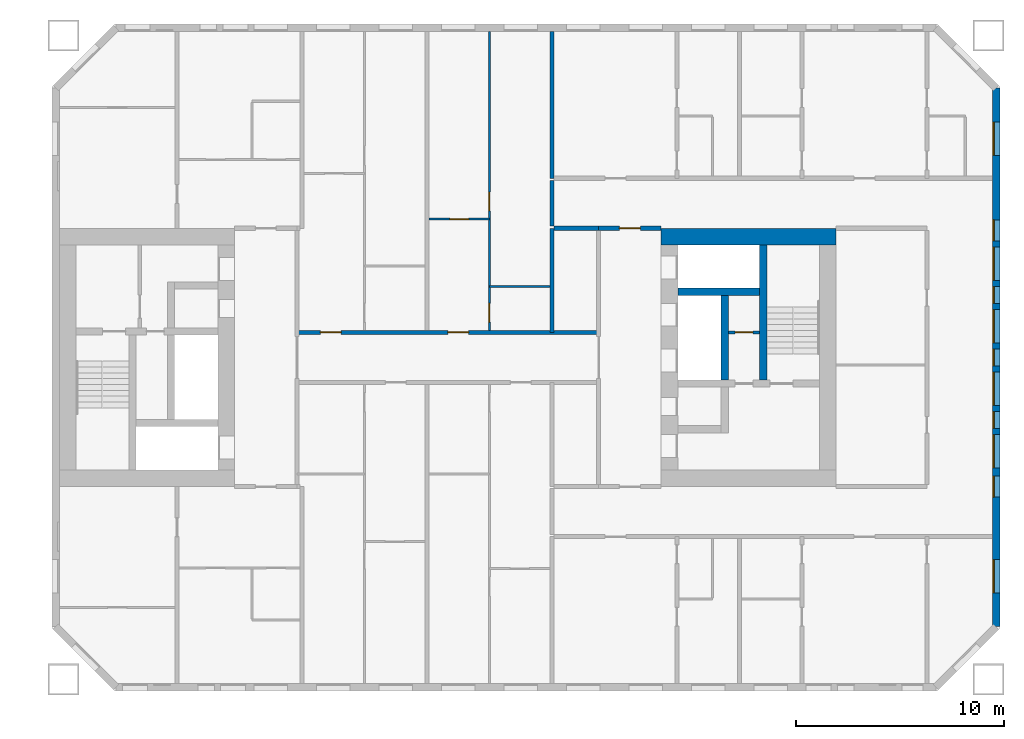
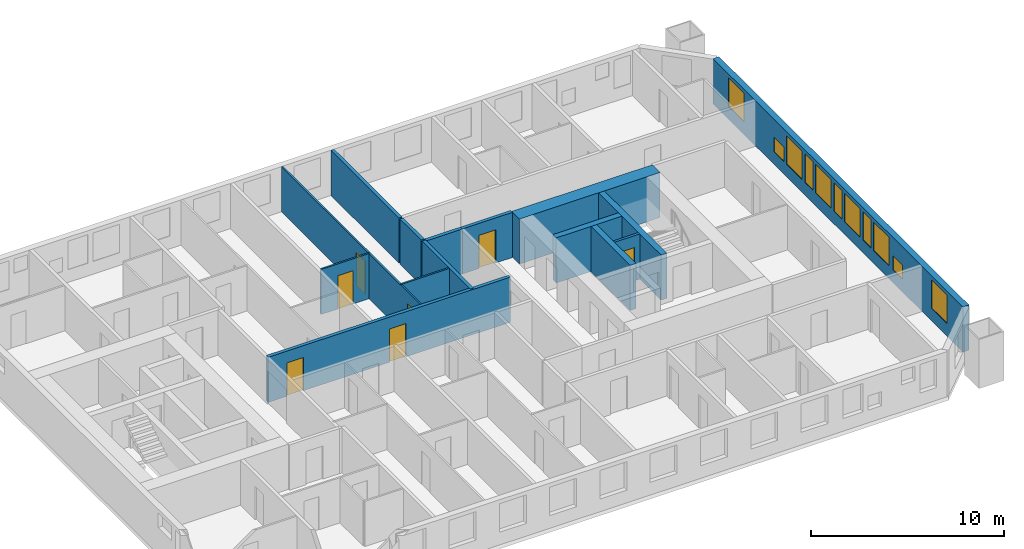
# One storey, part 13 of 17: 15 walls, 11 windows, 7 doors, 18 openings.
"""IFC4 building model written with IfcOpenShell, lengths in metres."""

from ifc_helpers import new_model, si_unit, direction, frame, frame_2d, origin, place, context, subcontext, project, spatial, rectangle, extrude, material, layer, layer_set, type_object, element, fill, save


model = new_model("IFC4")

# Units and contexts
model_context = context("Model", 3, precision=1e-05, world=origin(), true_north=direction((0.0, 1.0)))
body_context = subcontext(model_context, "Body", "Model", "MODEL_VIEW")
ifc_project = project(units=[si_unit("LENGTHUNIT", "METRE"), si_unit("AREAUNIT", "SQUARE_METRE"), si_unit("VOLUMEUNIT", "CUBIC_METRE"), si_unit("PLANEANGLEUNIT", "RADIAN"), si_unit("MASSUNIT", "GRAM", prefix="KILO")], contexts=[model_context])

# Site, building, storey
site_placement = place(None, origin())
site = spatial("IfcSite", under=ifc_project, at=site_placement, CompositionType="ELEMENT")
building_placement = place(site_placement, origin())
building = spatial("IfcBuilding", under=site, at=building_placement, Name="Tuart Gate Housing", CompositionType="ELEMENT")
storey_placement = place(building_placement, frame((0.0, 0.0, 47.39990234375)))
storey = spatial("IfcBuildingStorey", under=building, at=storey_placement, Name="L12", CompositionType="ELEMENT", Elevation=47.39990234375)

# Wall, openings, windows
ifc_material_1 = material(Name="Brick", Category="masonry")
ifc_layer_1 = layer(ifc_material_1, 0.360107421875)
ifc_layer_set_1 = layer_set([ifc_layer_1], Name="Brick pier and spandrel wall 360")
wall_type_1 = type_object("IfcWallType", Name="Brick pier and spandrel wall 360", PredefinedType="STANDARD", material=ifc_layer_set_1)
wall_1_placement = place(storey_placement, frame((176.320068359375, 57.07470703125, 0.0), z_axis=(0.0, 0.0, 1.0), x_axis=(0.0, 1.0, 0.0)))
wall_1 = element("IfcWall", 1, at=wall_1_placement, inside=storey, type_object=wall_type_1, Name="External wall B-E L12", PredefinedType="STANDARD", context=body_context, shape_type="SweptSolid", body=[
    extrude(rectangle(XDim=25.850830078125, YDim=0.360107421875, at=frame_2d((12.92529296875, 0.0))), origin(), (0.0, 0.0, 1.0), 2.85009765625),
])
opening_1_placement = place(wall_1_placement, frame((1.62548828125, 0.0, 0.800048828125)))
opening_1 = element("IfcOpeningElement", 2, at=opening_1_placement, cuts=wall_1, Name="Opening W1", PredefinedType="OPENING", context=body_context, shape_type="SweptSolid", body=[
    extrude(rectangle(XDim=1.60009765625, YDim=1.800048828125, at=frame_2d((0.800048828125, 0.89990234375))), frame((0.0, 0.18994140625, 0.0), z_axis=(0.0, -1.0, 0.0), x_axis=(1.0, 0.0, 0.0)), (0.0, 0.0, 1.0), 0.380126953125),
])
opening_2_placement = place(wall_1_placement, frame((6.225341796875, 0.0, 0.800048828125)))
opening_2 = element("IfcOpeningElement", 3, at=opening_2_placement, cuts=wall_1, Name="Opening W1U", PredefinedType="OPENING", context=body_context, shape_type="SweptSolid", body=[
    extrude(rectangle(XDim=1.0, YDim=0.89990234375, at=frame_2d((0.5, 0.449951171875))), frame((0.0, 0.18994140625, 0.0), z_axis=(0.0, -1.0, 0.0), x_axis=(1.0, 0.0, 0.0)), (0.0, 0.0, 1.0), 0.380126953125),
])
opening_3_placement = place(wall_1_placement, frame((7.62548828125, 0.0, 0.800048828125)))
opening_3 = element("IfcOpeningElement", 4, at=opening_3_placement, cuts=wall_1, Name="Opening W1", PredefinedType="OPENING", context=body_context, shape_type="SweptSolid", body=[
    extrude(rectangle(XDim=1.60009765625, YDim=1.800048828125, at=frame_2d((0.800048828125, 0.89990234375))), frame((0.0, 0.18994140625, 0.0), z_axis=(0.0, -1.0, 0.0), x_axis=(1.0, 0.0, 0.0)), (0.0, 0.0, 1.0), 0.380126953125),
])
opening_4_placement = place(wall_1_placement, frame((10.62548828125, 0.0, 0.800048828125)))
opening_4 = element("IfcOpeningElement", 5, at=opening_4_placement, cuts=wall_1, Name="Opening W1", PredefinedType="OPENING", context=body_context, shape_type="SweptSolid", body=[
    extrude(rectangle(XDim=1.60009765625, YDim=1.800048828125, at=frame_2d((0.800048828125, 0.89990234375))), frame((0.0, 0.18994140625, 0.0), z_axis=(0.0, -1.0, 0.0), x_axis=(1.0, 0.0, 0.0)), (0.0, 0.0, 1.0), 0.380126953125),
])
opening_5_placement = place(wall_1_placement, frame((13.62548828125, 0.0, 0.800048828125)))
opening_5 = element("IfcOpeningElement", 6, at=opening_5_placement, cuts=wall_1, Name="Opening W1", PredefinedType="OPENING", context=body_context, shape_type="SweptSolid", body=[
    extrude(rectangle(XDim=1.60009765625, YDim=1.800048828125, at=frame_2d((0.800048828125, 0.89990234375))), frame((0.0, 0.18994140625, 0.0), z_axis=(0.0, -1.0, 0.0), x_axis=(1.0, 0.0, 0.0)), (0.0, 0.0, 1.0), 0.380126953125),
])
opening_6_placement = place(wall_1_placement, frame((16.62548828125, 0.0, 0.800048828125)))
opening_6 = element("IfcOpeningElement", 7, at=opening_6_placement, cuts=wall_1, Name="Opening W1", PredefinedType="OPENING", context=body_context, shape_type="SweptSolid", body=[
    extrude(rectangle(XDim=1.60009765625, YDim=1.800048828125, at=frame_2d((0.800048828125, 0.89990234375))), frame((0.0, 0.18994140625, 0.0), z_axis=(0.0, -1.0, 0.0), x_axis=(1.0, 0.0, 0.0)), (0.0, 0.0, 1.0), 0.380126953125),
])
opening_7_placement = place(wall_1_placement, frame((9.525390625, 0.0, 0.800048828125)))
opening_7 = element("IfcOpeningElement", 8, at=opening_7_placement, cuts=wall_1, Name="Opening W1D", PredefinedType="OPENING", context=body_context, shape_type="SweptSolid", body=[
    extrude(rectangle(XDim=0.800048828125, YDim=1.800048828125, at=frame_2d((0.39990234375, 0.89990234375))), frame((0.0, 0.18994140625, 0.0), z_axis=(0.0, -1.0, 0.0), x_axis=(1.0, 0.0, 0.0)), (0.0, 0.0, 1.0), 0.380126953125),
])
opening_8_placement = place(wall_1_placement, frame((22.62548828125, 0.0, 0.800048828125)))
opening_8 = element("IfcOpeningElement", 9, at=opening_8_placement, cuts=wall_1, Name="Opening W1", PredefinedType="OPENING", context=body_context, shape_type="SweptSolid", body=[
    extrude(rectangle(XDim=1.60009765625, YDim=1.800048828125, at=frame_2d((0.800048828125, 0.89990234375))), frame((0.0, 0.18994140625, 0.0), z_axis=(0.0, -1.0, 0.0), x_axis=(1.0, 0.0, 0.0)), (0.0, 0.0, 1.0), 0.380126953125),
])
opening_9_placement = place(wall_1_placement, frame((12.525390625, 0.0, 0.800048828125)))
opening_9 = element("IfcOpeningElement", 10, at=opening_9_placement, cuts=wall_1, Name="Opening W1D", PredefinedType="OPENING", context=body_context, shape_type="SweptSolid", body=[
    extrude(rectangle(XDim=0.800048828125, YDim=1.800048828125, at=frame_2d((0.39990234375, 0.89990234375))), frame((0.0, 0.18994140625, 0.0), z_axis=(0.0, -1.0, 0.0), x_axis=(1.0, 0.0, 0.0)), (0.0, 0.0, 1.0), 0.380126953125),
])
opening_10_placement = place(wall_1_placement, frame((15.525390625, 0.0, 0.800048828125)))
opening_10 = element("IfcOpeningElement", 11, at=opening_10_placement, cuts=wall_1, Name="Opening W1D", PredefinedType="OPENING", context=body_context, shape_type="SweptSolid", body=[
    extrude(rectangle(XDim=0.800048828125, YDim=1.800048828125, at=frame_2d((0.39990234375, 0.89990234375))), frame((0.0, 0.18994140625, 0.0), z_axis=(0.0, -1.0, 0.0), x_axis=(1.0, 0.0, 0.0)), (0.0, 0.0, 1.0), 0.380126953125),
])
opening_11_placement = place(wall_1_placement, frame((18.525390625, 0.0, 0.800048828125)))
opening_11 = element("IfcOpeningElement", 12, at=opening_11_placement, cuts=wall_1, Name="Opening W1U", PredefinedType="OPENING", context=body_context, shape_type="SweptSolid", body=[
    extrude(rectangle(XDim=1.0, YDim=0.89990234375, at=frame_2d((0.5, 0.449951171875))), frame((0.0, 0.18994140625, 0.0), z_axis=(0.0, -1.0, 0.0), x_axis=(1.0, 0.0, 0.0)), (0.0, 0.0, 1.0), 0.380126953125),
])
ifc_material_2 = material(Name="Aluminium frame with clear glass", Category="aluminium")
window_type_1 = type_object("IfcWindowType", Name="Punched window 1000 x 900", PartitioningType="SINGLE_PANEL", PredefinedType="WINDOW", material=ifc_material_2)
window_1_placement = place(opening_2_placement, origin())
window_1 = element("IfcWindow", 13, at=window_1_placement, inside=storey, type_object=window_type_1, Name="Window W1U", OverallHeight=0.89990234375, OverallWidth=1.0, PartitioningType="SINGLE_PANEL", PredefinedType="WINDOW", context=body_context, shape_type="SweptSolid", body=[
    extrude(rectangle(XDim=1.0, YDim=0.89990234375, at=frame_2d((0.5, 0.449951171875))), frame((0.0, 0.150146484375, 0.0), z_axis=(0.0, -1.0, 0.0), x_axis=(1.0, 0.0, 0.0)), (0.0, 0.0, 1.0), 0.06005859375),
])
fill(opening_2, window_1)
window_2_placement = place(opening_11_placement, origin())
window_2 = element("IfcWindow", 14, at=window_2_placement, inside=storey, type_object=window_type_1, Name="Window W1U", OverallHeight=0.89990234375, OverallWidth=1.0, PartitioningType="SINGLE_PANEL", PredefinedType="WINDOW", context=body_context, shape_type="SweptSolid", body=[
    extrude(rectangle(XDim=1.0, YDim=0.89990234375, at=frame_2d((0.5, 0.449951171875))), frame((0.0, 0.150146484375, 0.0), z_axis=(0.0, -1.0, 0.0), x_axis=(1.0, 0.0, 0.0)), (0.0, 0.0, 1.0), 0.06005859375),
])
fill(opening_11, window_2)
ifc_material_3 = material(Name="Aluminium frame with clear glass", Category="aluminium")
window_type_2 = type_object("IfcWindowType", Name="Punched window 1600 x 1800", PartitioningType="SINGLE_PANEL", PredefinedType="WINDOW", material=ifc_material_3)
window_3_placement = place(opening_1_placement, origin())
window_3 = element("IfcWindow", 15, at=window_3_placement, inside=storey, type_object=window_type_2, Name="Window W1", OverallHeight=1.800048828125, OverallWidth=1.60009765625, PartitioningType="SINGLE_PANEL", PredefinedType="WINDOW", context=body_context, shape_type="SweptSolid", body=[
    extrude(rectangle(XDim=1.60009765625, YDim=1.800048828125, at=frame_2d((0.800048828125, 0.89990234375))), frame((0.0, 0.150146484375, 0.0), z_axis=(0.0, -1.0, 0.0), x_axis=(1.0, 0.0, 0.0)), (0.0, 0.0, 1.0), 0.06005859375),
])
fill(opening_1, window_3)
window_4_placement = place(opening_3_placement, origin())
window_4 = element("IfcWindow", 16, at=window_4_placement, inside=storey, type_object=window_type_2, Name="Window W1", OverallHeight=1.800048828125, OverallWidth=1.60009765625, PartitioningType="SINGLE_PANEL", PredefinedType="WINDOW", context=body_context, shape_type="SweptSolid", body=[
    extrude(rectangle(XDim=1.60009765625, YDim=1.800048828125, at=frame_2d((0.800048828125, 0.89990234375))), frame((0.0, 0.150146484375, 0.0), z_axis=(0.0, -1.0, 0.0), x_axis=(1.0, 0.0, 0.0)), (0.0, 0.0, 1.0), 0.06005859375),
])
fill(opening_3, window_4)
window_5_placement = place(opening_4_placement, origin())
window_5 = element("IfcWindow", 17, at=window_5_placement, inside=storey, type_object=window_type_2, Name="Window W1", OverallHeight=1.800048828125, OverallWidth=1.60009765625, PartitioningType="SINGLE_PANEL", PredefinedType="WINDOW", context=body_context, shape_type="SweptSolid", body=[
    extrude(rectangle(XDim=1.60009765625, YDim=1.800048828125, at=frame_2d((0.800048828125, 0.89990234375))), frame((0.0, 0.150146484375, 0.0), z_axis=(0.0, -1.0, 0.0), x_axis=(1.0, 0.0, 0.0)), (0.0, 0.0, 1.0), 0.06005859375),
])
fill(opening_4, window_5)
window_6_placement = place(opening_5_placement, origin())
window_6 = element("IfcWindow", 18, at=window_6_placement, inside=storey, type_object=window_type_2, Name="Window W1", OverallHeight=1.800048828125, OverallWidth=1.60009765625, PartitioningType="SINGLE_PANEL", PredefinedType="WINDOW", context=body_context, shape_type="SweptSolid", body=[
    extrude(rectangle(XDim=1.60009765625, YDim=1.800048828125, at=frame_2d((0.800048828125, 0.89990234375))), frame((0.0, 0.150146484375, 0.0), z_axis=(0.0, -1.0, 0.0), x_axis=(1.0, 0.0, 0.0)), (0.0, 0.0, 1.0), 0.06005859375),
])
fill(opening_5, window_6)
window_7_placement = place(opening_6_placement, origin())
window_7 = element("IfcWindow", 19, at=window_7_placement, inside=storey, type_object=window_type_2, Name="Window W1", OverallHeight=1.800048828125, OverallWidth=1.60009765625, PartitioningType="SINGLE_PANEL", PredefinedType="WINDOW", context=body_context, shape_type="SweptSolid", body=[
    extrude(rectangle(XDim=1.60009765625, YDim=1.800048828125, at=frame_2d((0.800048828125, 0.89990234375))), frame((0.0, 0.150146484375, 0.0), z_axis=(0.0, -1.0, 0.0), x_axis=(1.0, 0.0, 0.0)), (0.0, 0.0, 1.0), 0.06005859375),
])
fill(opening_6, window_7)
window_8_placement = place(opening_8_placement, origin())
window_8 = element("IfcWindow", 20, at=window_8_placement, inside=storey, type_object=window_type_2, Name="Window W1", OverallHeight=1.800048828125, OverallWidth=1.60009765625, PartitioningType="SINGLE_PANEL", PredefinedType="WINDOW", context=body_context, shape_type="SweptSolid", body=[
    extrude(rectangle(XDim=1.60009765625, YDim=1.800048828125, at=frame_2d((0.800048828125, 0.89990234375))), frame((0.0, 0.150146484375, 0.0), z_axis=(0.0, -1.0, 0.0), x_axis=(1.0, 0.0, 0.0)), (0.0, 0.0, 1.0), 0.06005859375),
])
fill(opening_8, window_8)
ifc_material_4 = material(Name="Aluminium frame with clear glass", Category="aluminium")
window_type_3 = type_object("IfcWindowType", Name="Punched window 800 x 1800", PartitioningType="SINGLE_PANEL", PredefinedType="WINDOW", material=ifc_material_4)
window_9_placement = place(opening_7_placement, origin())
window_9 = element("IfcWindow", 21, at=window_9_placement, inside=storey, type_object=window_type_3, Name="Window W1D", OverallHeight=1.800048828125, OverallWidth=0.800048828125, PartitioningType="SINGLE_PANEL", PredefinedType="WINDOW", context=body_context, shape_type="SweptSolid", body=[
    extrude(rectangle(XDim=0.800048828125, YDim=1.800048828125, at=frame_2d((0.39990234375, 0.89990234375))), frame((0.0, 0.150146484375, 0.0), z_axis=(0.0, -1.0, 0.0), x_axis=(1.0, 0.0, 0.0)), (0.0, 0.0, 1.0), 0.06005859375),
])
fill(opening_7, window_9)
window_10_placement = place(opening_9_placement, origin())
window_10 = element("IfcWindow", 22, at=window_10_placement, inside=storey, type_object=window_type_3, Name="Window W1D", OverallHeight=1.800048828125, OverallWidth=0.800048828125, PartitioningType="SINGLE_PANEL", PredefinedType="WINDOW", context=body_context, shape_type="SweptSolid", body=[
    extrude(rectangle(XDim=0.800048828125, YDim=1.800048828125, at=frame_2d((0.39990234375, 0.89990234375))), frame((0.0, 0.150146484375, 0.0), z_axis=(0.0, -1.0, 0.0), x_axis=(1.0, 0.0, 0.0)), (0.0, 0.0, 1.0), 0.06005859375),
])
fill(opening_9, window_10)
window_11_placement = place(opening_10_placement, origin())
window_11 = element("IfcWindow", 23, at=window_11_placement, inside=storey, type_object=window_type_3, Name="Window W1D", OverallHeight=1.800048828125, OverallWidth=0.800048828125, PartitioningType="SINGLE_PANEL", PredefinedType="WINDOW", context=body_context, shape_type="SweptSolid", body=[
    extrude(rectangle(XDim=0.800048828125, YDim=1.800048828125, at=frame_2d((0.39990234375, 0.89990234375))), frame((0.0, 0.150146484375, 0.0), z_axis=(0.0, -1.0, 0.0), x_axis=(1.0, 0.0, 0.0)), (0.0, 0.0, 1.0), 0.06005859375),
])
fill(opening_10, window_11)

# Wall, opening, door
ifc_material_5 = material(Name="Plasterboard partition")
ifc_layer_2 = layer(ifc_material_5, 0.14990234375)
ifc_layer_set_2 = layer_set([ifc_layer_2], Name="Core partition 150")
wall_type_2 = type_object("IfcWallType", Name="Core partition 150", PredefinedType="PARTITIONING", material=ifc_layer_set_2)
wall_2_placement = place(storey_placement, frame((163.465087890625, 71.199951171875, 0.0), z_axis=(0.0, 0.0, 1.0), x_axis=(1.0, 0.0, 0.0)))
wall_2 = element("IfcWall", 24, at=wall_2_placement, inside=storey, type_object=wall_type_2, Name="Core partition BK.2", PredefinedType="PARTITIONING", context=body_context, shape_type="SweptSolid", body=[
    extrude(rectangle(XDim=1.5, YDim=0.14990234375, at=frame_2d((0.75, 0.0))), origin(), (0.0, 0.0, 1.0), 2.85009765625),
])
opening_12_placement = place(wall_2_placement, frame((0.324951171875, 0.0, 0.0)))
opening_12 = element("IfcOpeningElement", 25, at=opening_12_placement, cuts=wall_2, Name="Opening D681", PredefinedType="OPENING", context=body_context, shape_type="SweptSolid", body=[
    extrude(rectangle(XDim=0.85009765625, YDim=2.10009765625, at=frame_2d((0.425048828125, 1.050048828125))), frame((0.0, 0.0849609375, 0.0), z_axis=(0.0, -1.0, 0.0), x_axis=(1.0, 0.0, 0.0)), (0.0, 0.0, 1.0), 0.169921875),
])
ifc_material_6 = material(Name="Steel fire door", Category="steel")
door_type_1 = type_object("IfcDoorType", Name="Service door 850 x 2100 RH", OperationType="SINGLE_SWING_RIGHT", PredefinedType="DOOR", material=ifc_material_6)
door_1_placement = place(opening_12_placement, frame((0.85009765625, 0.0, 0.0), z_axis=(0.0, 0.0, 1.0), x_axis=(-1.0, 0.0, 0.0)))
door_1 = element("IfcDoor", 26, at=door_1_placement, inside=storey, type_object=door_type_1, Name="Service room door BK.W2", OperationType="SINGLE_SWING_RIGHT", OverallHeight=2.10009765625, OverallWidth=0.85009765625, PredefinedType="DOOR", context=body_context, shape_type="SweptSolid", body=[
    extrude(rectangle(XDim=0.85009765625, YDim=2.10009765625, at=frame_2d((0.425048828125, 1.050048828125))), frame((0.0, 0.025146484375, 0.0), z_axis=(0.0, -1.0, 0.0), x_axis=(1.0, 0.0, 0.0)), (0.0, 0.0, 1.0), 0.050048828125),
])
fill(opening_12, door_1)

# Walls
ifc_material_7 = material(Name="Concrete C60", Category="concrete")
ifc_layer_3 = layer(ifc_material_7, 0.35009765625)
ifc_layer_set_3 = layer_set([ifc_layer_3], Name="Core wall 350 C60")
wall_type_3 = type_object("IfcWallType", Name="Core wall 350 C60", PredefinedType="SHEAR", material=ifc_layer_set_3)
wall_3_placement = place(storey_placement, frame((161.0400390625, 73.14990234375, 0.0), z_axis=(0.0, 0.0, 1.0), x_axis=(1.0, 0.0, 0.0)))
element("IfcWall", 27, at=wall_3_placement, inside=storey, type_object=wall_type_3, Name="Core wall BK.1", PredefinedType="SHEAR", context=body_context, shape_type="SweptSolid", body=[
    extrude(rectangle(XDim=3.925048828125, YDim=0.35009765625, at=frame_2d((1.96240234375, 0.0))), origin(), (0.0, 0.0, 1.0), 2.85009765625),
])
wall_4_placement = place(storey_placement, frame((163.2900390625, 72.97509765625, 0.0), z_axis=(0.0, 0.0, 1.0), x_axis=(0.0, -1.0, 0.0)))
element("IfcWall", 28, at=wall_4_placement, inside=storey, type_object=wall_type_3, Name="Core wall BK.5", PredefinedType="SHEAR", context=body_context, shape_type="SweptSolid", body=[
    extrude(rectangle(XDim=4.050048828125, YDim=0.35009765625, at=frame_2d((2.02490234375, 0.0))), origin(), (0.0, 0.0, 1.0), 2.85009765625),
])
wall_5_placement = place(storey_placement, frame((165.139892578125, 75.39990234375, 0.0), z_axis=(0.0, 0.0, 1.0), x_axis=(0.0, -1.0, 0.0)))
element("IfcWall", 29, at=wall_5_placement, inside=storey, type_object=wall_type_3, Name="Core wall BK.7", PredefinedType="SHEAR", context=body_context, shape_type="SweptSolid", body=[
    extrude(rectangle(XDim=6.474853515625, YDim=0.35009765625, at=frame_2d((3.2373046875, 0.0))), origin(), (0.0, 0.0, 1.0), 2.85009765625),
])
ifc_material_8 = material(Name="Concrete C60", Category="concrete")
ifc_layer_4 = layer(ifc_material_8, 0.800048828125)
ifc_layer_set_4 = layer_set([ifc_layer_4], Name="Core wall 800 C60")
wall_type_4 = type_object("IfcWallType", Name="Core wall 800 C60", PredefinedType="SHEAR", material=ifc_layer_set_4)
wall_6_placement = place(storey_placement, frame((160.239990234375, 75.800048828125, 0.0), z_axis=(0.0, 0.0, 1.0), x_axis=(1.0, 0.0, 0.0)))
element("IfcWall", 30, at=wall_6_placement, inside=storey, type_object=wall_type_4, Name="Core wall BK south", PredefinedType="SHEAR", context=body_context, shape_type="SweptSolid", body=[
    extrude(rectangle(XDim=8.39990234375, YDim=0.800048828125, at=frame_2d((4.199951171875, 0.0))), origin(), (0.0, 0.0, 1.0), 2.85009765625),
])

# Wall, openings, doors
ifc_material_9 = material(Name="Concrete masonry 15 MPa", Category="masonry")
ifc_layer_5 = layer(ifc_material_9, 0.199951171875)
ifc_layer_set_5 = layer_set([ifc_layer_5], Name="Corridor wall masonry 200")
wall_type_5 = type_object("IfcWallType", Name="Corridor wall masonry 200", PredefinedType="PARTITIONING", material=ifc_layer_set_5)
wall_7_placement = place(storey_placement, frame((142.760009765625, 71.199951171875, 0.0), z_axis=(0.0, 0.0, 1.0), x_axis=(1.0, 0.0, 0.0)))
wall_7 = element("IfcWall", 31, at=wall_7_placement, inside=storey, type_object=wall_type_5, Name="Corridor wall masonry 200", PredefinedType="PARTITIONING", context=body_context, shape_type="SweptSolid", body=[
    extrude(rectangle(XDim=14.47998046875, YDim=0.199951171875, at=frame_2d((7.239990234375, 0.0))), origin(), (0.0, 0.0, 1.0), 2.85009765625),
])
opening_13_placement = place(wall_7_placement, frame((1.1201171875, 0.0, 0.0)))
opening_13 = element("IfcOpeningElement", 32, at=opening_13_placement, cuts=wall_7, Name="Opening D679", PredefinedType="OPENING", context=body_context, shape_type="SweptSolid", body=[
    extrude(rectangle(XDim=1.0, YDim=2.10009765625, at=frame_2d((0.5, 1.050048828125))), frame((0.0, 0.10986328125, 0.0), z_axis=(0.0, -1.0, 0.0), x_axis=(1.0, 0.0, 0.0)), (0.0, 0.0, 1.0), 0.219970703125),
])
opening_14_placement = place(wall_7_placement, frame((7.239990234375, 0.0, 0.0)))
opening_14 = element("IfcOpeningElement", 33, at=opening_14_placement, cuts=wall_7, Name="Opening D680", PredefinedType="OPENING", context=body_context, shape_type="SweptSolid", body=[
    extrude(rectangle(XDim=1.0, YDim=2.10009765625, at=frame_2d((0.5, 1.050048828125))), frame((0.0, 0.10986328125, 0.0), z_axis=(0.0, -1.0, 0.0), x_axis=(1.0, 0.0, 0.0)), (0.0, 0.0, 1.0), 0.219970703125),
])
ifc_material_10 = material(Name="Timber door leaf in steel frame", Category="steel")
door_type_2 = type_object("IfcDoorType", Name="Flat entrance door 1000", OperationType="SINGLE_SWING_LEFT", PredefinedType="DOOR", material=ifc_material_10)
door_2_placement = place(opening_13_placement, origin())
door_2 = element("IfcDoor", 34, at=door_2_placement, inside=storey, type_object=door_type_2, Name="Flat entrance door", OperationType="SINGLE_SWING_LEFT", OverallHeight=2.10009765625, OverallWidth=1.0, PredefinedType="DOOR", context=body_context, shape_type="SweptSolid", body=[
    extrude(rectangle(XDim=1.0, YDim=2.10009765625, at=frame_2d((0.5, 1.050048828125))), frame((0.0, 0.02490234375, 0.0), z_axis=(0.0, -1.0, 0.0), x_axis=(1.0, 0.0, 0.0)), (0.0, 0.0, 1.0), 0.050048828125),
])
fill(opening_13, door_2)
door_3_placement = place(opening_14_placement, origin())
door_3 = element("IfcDoor", 35, at=door_3_placement, inside=storey, type_object=door_type_2, Name="Flat entrance door", OperationType="SINGLE_SWING_LEFT", OverallHeight=2.10009765625, OverallWidth=1.0, PredefinedType="DOOR", context=body_context, shape_type="SweptSolid", body=[
    extrude(rectangle(XDim=1.0, YDim=2.10009765625, at=frame_2d((0.5, 1.050048828125))), frame((0.0, 0.02490234375, 0.0), z_axis=(0.0, -1.0, 0.0), x_axis=(1.0, 0.0, 0.0)), (0.0, 0.0, 1.0), 0.050048828125),
])
fill(opening_14, door_3)

# Walls
wall_8_placement = place(storey_placement, frame((155.10009765625, 76.199951171875, 0.0), z_axis=(0.0, 0.0, 1.0), x_axis=(1.0, 0.0, 0.0)))
element("IfcWall", 36, at=wall_8_placement, inside=storey, type_object=wall_type_5, Name="Corridor wall masonry 200", PredefinedType="PARTITIONING", context=body_context, shape_type="SweptSolid", body=[
    extrude(rectangle(XDim=2.139892578125, YDim=0.199951171875, at=frame_2d((1.06982421875, 0.0))), origin(), (0.0, 0.0, 1.0), 2.85009765625),
])
wall_9_placement = place(storey_placement, frame((155.0, 76.300048828125, 0.0), z_axis=(0.0, 0.0, 1.0), x_axis=(0.0, 1.0, 0.0)))
element("IfcWall", 37, at=wall_9_placement, inside=storey, type_object=wall_type_5, Name="Corridor wall masonry 200", PredefinedType="PARTITIONING", context=body_context, shape_type="SweptSolid", body=[
    extrude(rectangle(XDim=2.199951171875, YDim=0.199951171875, at=frame_2d((1.10009765625, 0.0))), origin(), (0.0, 0.0, 1.0), 2.85009765625),
])

# Wall, opening, door
ifc_material_11 = material(Name="Concrete masonry 15 MPa", Category="masonry")
ifc_layer_6 = layer(ifc_material_11, 0.199951171875)
ifc_layer_set_6 = layer_set([ifc_layer_6], Name="Enclosure wall masonry 200")
wall_type_6 = type_object("IfcWallType", Name="Enclosure wall masonry 200", PredefinedType="PARTITIONING", material=ifc_layer_set_6)
wall_10_placement = place(storey_placement, frame((157.239990234375, 76.199951171875, 0.0), z_axis=(0.0, 0.0, 1.0), x_axis=(1.0, 0.0, 0.0)))
wall_10 = element("IfcWall", 38, at=wall_10_placement, inside=storey, type_object=wall_type_6, Name="Enclosure wall masonry 200", PredefinedType="PARTITIONING", context=body_context, shape_type="SweptSolid", body=[
    extrude(rectangle(XDim=3.0, YDim=0.199951171875, at=frame_2d((1.5, 0.0))), origin(), (0.0, 0.0, 1.0), 2.85009765625),
])
opening_15_placement = place(wall_10_placement, frame((1.0, 0.0, 0.0)))
opening_15 = element("IfcOpeningElement", 39, at=opening_15_placement, cuts=wall_10, Name="Opening D675", PredefinedType="OPENING", context=body_context, shape_type="SweptSolid", body=[
    extrude(rectangle(XDim=1.0, YDim=2.10009765625, at=frame_2d((0.5, 1.050048828125))), frame((0.0, 0.10986328125, 0.0), z_axis=(0.0, -1.0, 0.0), x_axis=(1.0, 0.0, 0.0)), (0.0, 0.0, 1.0), 0.219970703125),
])
ifc_material_12 = material(Name="Timber door leaf in steel frame", Category="steel")
door_type_3 = type_object("IfcDoorType", Name="Fire door 1000", OperationType="SINGLE_SWING_LEFT", PredefinedType="DOOR", material=ifc_material_12)
door_4_placement = place(opening_15_placement, origin())
door_4 = element("IfcDoor", 40, at=door_4_placement, inside=storey, type_object=door_type_3, Name="Fire door", OperationType="SINGLE_SWING_LEFT", OverallHeight=2.10009765625, OverallWidth=1.0, PredefinedType="DOOR", context=body_context, shape_type="SweptSolid", body=[
    extrude(rectangle(XDim=1.0, YDim=2.10009765625, at=frame_2d((0.5, 1.050048828125))), frame((0.0, 0.02490234375, 0.0), z_axis=(0.0, -1.0, 0.0), x_axis=(1.0, 0.0, 0.0)), (0.0, 0.0, 1.0), 0.050048828125),
])
fill(opening_15, door_4)

# Wall
ifc_material_13 = material(Name="Gypsum board on steel studs", Category="steel")
ifc_layer_7 = layer(ifc_material_13, 0.10009765625)
ifc_layer_set_7 = layer_set([ifc_layer_7], Name="Partition 100")
wall_type_7 = type_object("IfcWallType", Name="Partition 100", PredefinedType="PARTITIONING", material=ifc_layer_set_7)
wall_11_placement = place(storey_placement, frame((152.0, 73.39990234375, 0.0), z_axis=(0.0, 0.0, 1.0), x_axis=(1.0, 0.0, 0.0)))
element("IfcWall", 41, at=wall_11_placement, inside=storey, type_object=wall_type_7, Name="Partition 100", PredefinedType="PARTITIONING", context=body_context, shape_type="SweptSolid", body=[
    extrude(rectangle(XDim=2.89990234375, YDim=0.10009765625, at=frame_2d((1.449951171875, 0.0))), origin(), (0.0, 0.0, 1.0), 2.85009765625),
])

# Wall, opening, door
wall_12_placement = place(storey_placement, frame((149.10009765625, 76.639892578125, 0.0), z_axis=(0.0, 0.0, 1.0), x_axis=(1.0, 0.0, 0.0)))
wall_12 = element("IfcWall", 42, at=wall_12_placement, inside=storey, type_object=wall_type_7, Name="Partition 100", PredefinedType="PARTITIONING", context=body_context, shape_type="SweptSolid", body=[
    extrude(rectangle(XDim=2.89990234375, YDim=0.10009765625, at=frame_2d((1.449951171875, 0.0))), origin(), (0.0, 0.0, 1.0), 2.85009765625),
])
opening_16_placement = place(wall_12_placement, frame((1.0, 0.0, 0.0)))
opening_16 = element("IfcOpeningElement", 43, at=opening_16_placement, cuts=wall_12, Name="Opening D673", PredefinedType="OPENING", context=body_context, shape_type="SweptSolid", body=[
    extrude(rectangle(XDim=0.89990234375, YDim=2.10009765625, at=frame_2d((0.449951171875, 1.050048828125))), frame((0.0, 0.06005859375, 0.0), z_axis=(0.0, -1.0, 0.0), x_axis=(1.0, 0.0, 0.0)), (0.0, 0.0, 1.0), 0.1201171875),
])
ifc_material_14 = material(Name="Timber door leaf in steel frame", Category="steel")
door_type_4 = type_object("IfcDoorType", Name="Internal door 900", OperationType="SINGLE_SWING_LEFT", PredefinedType="DOOR", material=ifc_material_14)
door_5_placement = place(opening_16_placement, frame((0.89990234375, 0.0, 0.0), z_axis=(0.0, 0.0, 1.0), x_axis=(-1.0, 0.0, 0.0)))
door_5 = element("IfcDoor", 44, at=door_5_placement, inside=storey, type_object=door_type_4, Name="Internal door", OperationType="SINGLE_SWING_LEFT", OverallHeight=2.10009765625, OverallWidth=0.89990234375, PredefinedType="DOOR", context=body_context, shape_type="SweptSolid", body=[
    extrude(rectangle(XDim=0.89990234375, YDim=2.10009765625, at=frame_2d((0.449951171875, 1.050048828125))), frame((0.0, 0.025146484375, 0.0), z_axis=(0.0, -1.0, 0.0), x_axis=(1.0, 0.0, 0.0)), (0.0, 0.0, 1.0), 0.050048828125),
])
fill(opening_16, door_5)

# Wall, openings, doors
wall_13_placement = place(storey_placement, frame((152.0, 71.300048828125, 0.0), z_axis=(0.0, 0.0, 1.0), x_axis=(0.0, 1.0, 0.0)))
wall_13 = element("IfcWall", 45, at=wall_13_placement, inside=storey, type_object=wall_type_7, Name="Partition 100", PredefinedType="PARTITIONING", context=body_context, shape_type="SweptSolid", body=[
    extrude(rectangle(XDim=14.33984375, YDim=0.10009765625, at=frame_2d((7.169921875, 0.0))), origin(), (0.0, 0.0, 1.0), 2.85009765625),
])
opening_17_placement = place(wall_13_placement, frame((5.739990234375, 0.0, 0.0)))
opening_17 = element("IfcOpeningElement", 46, at=opening_17_placement, cuts=wall_13, Name="Opening D672", PredefinedType="OPENING", context=body_context, shape_type="SweptSolid", body=[
    extrude(rectangle(XDim=0.89990234375, YDim=2.10009765625, at=frame_2d((0.449951171875, 1.050048828125))), frame((0.0, 0.06005859375, 0.0), z_axis=(0.0, -1.0, 0.0), x_axis=(1.0, 0.0, 0.0)), (0.0, 0.0, 1.0), 0.1201171875),
])
opening_18_placement = place(wall_13_placement, frame((0.39990234375, 0.0, 0.0)))
opening_18 = element("IfcOpeningElement", 47, at=opening_18_placement, cuts=wall_13, Name="Opening D671", PredefinedType="OPENING", context=body_context, shape_type="SweptSolid", body=[
    extrude(rectangle(XDim=0.89990234375, YDim=2.10009765625, at=frame_2d((0.449951171875, 1.050048828125))), frame((0.0, 0.06005859375, 0.0), z_axis=(0.0, -1.0, 0.0), x_axis=(1.0, 0.0, 0.0)), (0.0, 0.0, 1.0), 0.1201171875),
])
ifc_material_15 = material(Name="Timber door leaf in steel frame", Category="steel")
door_type_5 = type_object("IfcDoorType", Name="Bathroom door 900 RH", OperationType="SINGLE_SWING_RIGHT", PredefinedType="DOOR", material=ifc_material_15)
door_6_placement = place(opening_18_placement, frame((0.89990234375, 0.0, 0.0), z_axis=(0.0, 0.0, 1.0), x_axis=(-1.0, 0.0, 0.0)))
door_6 = element("IfcDoor", 48, at=door_6_placement, inside=storey, type_object=door_type_5, Name="Bathroom door", OperationType="SINGLE_SWING_RIGHT", OverallHeight=2.10009765625, OverallWidth=0.89990234375, PredefinedType="DOOR", context=body_context, shape_type="SweptSolid", body=[
    extrude(rectangle(XDim=0.89990234375, YDim=2.10009765625, at=frame_2d((0.449951171875, 1.050048828125))), frame((0.0, 0.025146484375, 0.0), z_axis=(0.0, -1.0, 0.0), x_axis=(1.0, 0.0, 0.0)), (0.0, 0.0, 1.0), 0.050048828125),
])
fill(opening_18, door_6)
ifc_material_16 = material(Name="Timber door leaf in steel frame", Category="steel")
door_type_6 = type_object("IfcDoorType", Name="Internal door 900 RH", OperationType="SINGLE_SWING_RIGHT", PredefinedType="DOOR", material=ifc_material_16)
door_7_placement = place(opening_17_placement, frame((0.89990234375, 0.0, 0.0), z_axis=(0.0, 0.0, 1.0), x_axis=(-1.0, 0.0, 0.0)))
door_7 = element("IfcDoor", 49, at=door_7_placement, inside=storey, type_object=door_type_6, Name="Internal door", OperationType="SINGLE_SWING_RIGHT", OverallHeight=2.10009765625, OverallWidth=0.89990234375, PredefinedType="DOOR", context=body_context, shape_type="SweptSolid", body=[
    extrude(rectangle(XDim=0.89990234375, YDim=2.10009765625, at=frame_2d((0.449951171875, 1.050048828125))), frame((0.0, 0.025146484375, 0.0), z_axis=(0.0, -1.0, 0.0), x_axis=(1.0, 0.0, 0.0)), (0.0, 0.0, 1.0), 0.050048828125),
])
fill(opening_17, door_7)

# Walls
ifc_material_17 = material(Name="Concrete C40", Category="concrete")
ifc_layer_8 = layer(ifc_material_17, 0.199951171875)
ifc_layer_set_8 = layer_set([ifc_layer_8], Name="Party wall concrete C40 200")
wall_type_8 = type_object("IfcWallType", Name="Party wall concrete C40 200", PredefinedType="SOLIDWALL", material=ifc_layer_set_8)
wall_14_placement = place(storey_placement, frame((155.0, 71.199951171875, 0.0), z_axis=(0.0, 0.0, 1.0), x_axis=(0.0, 1.0, 0.0)))
element("IfcWall", 50, at=wall_14_placement, inside=storey, type_object=wall_type_8, Name="Party wall concrete C40 200", PredefinedType="SOLIDWALL", context=body_context, shape_type="SweptSolid", body=[
    extrude(rectangle(XDim=5.0, YDim=0.199951171875, at=frame_2d((2.5, 0.0))), origin(), (0.0, 0.0, 1.0), 2.85009765625),
])
wall_15_placement = place(storey_placement, frame((155.0, 78.60009765625, 0.0), z_axis=(0.0, 0.0, 1.0), x_axis=(0.0, 1.0, 0.0)))
element("IfcWall", 51, at=wall_15_placement, inside=storey, type_object=wall_type_8, Name="Party wall concrete C40 200", PredefinedType="SOLIDWALL", context=body_context, shape_type="SweptSolid", body=[
    extrude(rectangle(XDim=7.039794921875, YDim=0.199951171875, at=frame_2d((3.52001953125, 0.0))), origin(), (0.0, 0.0, 1.0), 2.85009765625),
])

save(model, "model.ifc")
